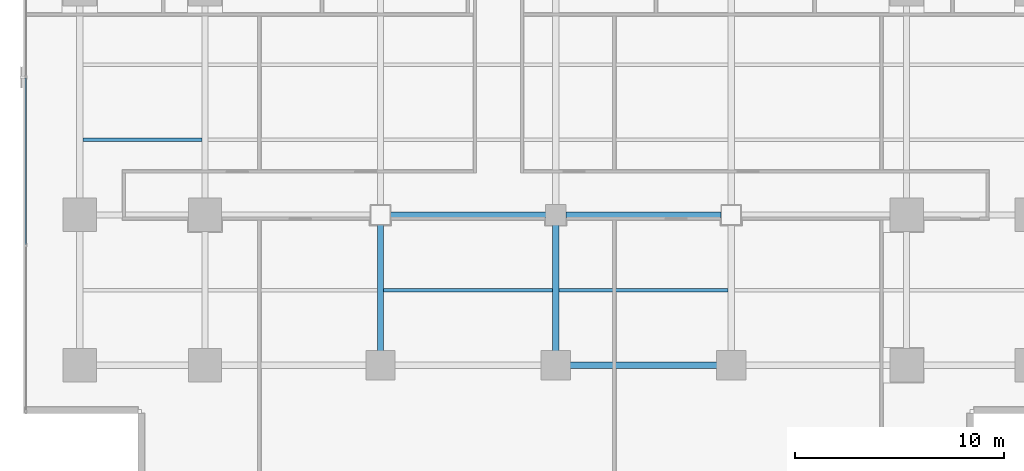
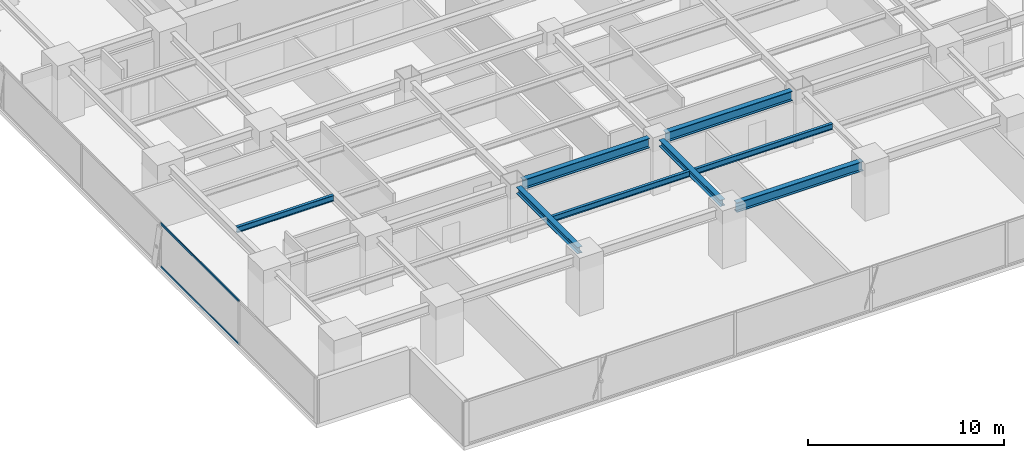
# One storey, part 7 of 34: 8 beams, 2 members, 1 element without a shape of its own.
"""IFC4 building model written with IfcOpenShell, lengths in metres."""

from ifc_helpers import new_model, si_unit, direction, frame, origin, origin_2d, place, context, subcontext, project, spatial, hollow_rectangle, i_section, extrude, source, transform, mapped, material, layer, layer_set, material_profile, profile_set, type_object, element, aggregate, save


model = new_model("IFC4")

# Units and contexts
model_context = context("Model", 3, precision=1e-05, world=origin(), true_north=direction((0.0, 1.0)))
body_context = subcontext(model_context, "Body", "Model", "MODEL_VIEW")
ifc_project = project(units=[si_unit("LENGTHUNIT", "METRE"), si_unit("AREAUNIT", "SQUARE_METRE"), si_unit("VOLUMEUNIT", "CUBIC_METRE"), si_unit("PLANEANGLEUNIT", "RADIAN"), si_unit("MASSUNIT", "GRAM", prefix="KILO")], contexts=[model_context])

# Site, building, storey
site_placement = place(None, origin())
site = spatial("IfcSite", under=ifc_project, at=site_placement, CompositionType="ELEMENT")
building_placement = place(site_placement, origin())
building = spatial("IfcBuilding", under=site, at=building_placement, Name="Sumidabori Civic Tower", CompositionType="ELEMENT")
storey_placement = place(building_placement, frame((0.0, 0.0, 99.199951171875)))
storey = spatial("IfcBuildingStorey", under=building, at=storey_placement, Name="L25", CompositionType="ELEMENT", Elevation=99.199951171875)

# Beams
ifc_material_1 = material(Name="Steel SN490", Category="steel")
ifc_material_profile_1 = material_profile(ifc_material_1, i_section(OverallWidth=0.300048828125, OverallDepth=0.60009765625, WebThickness=0.015380859375, FlangeThickness=0.030029296875, at=origin_2d()), Name="HE 600 B")
ifc_profile_set_1 = profile_set([ifc_material_profile_1], Name="Steel SN490")
beam_type_1 = type_object("IfcBeamType", Name="BM-GIRD-600", PredefinedType="BEAM", material=ifc_profile_set_1)
shared_shape_1 = source(origin(), body_context, "Body", "SweptSolid", [
    extrude(i_section(OverallWidth=0.300048828125, OverallDepth=0.60009765625, WebThickness=0.015380859375, FlangeThickness=0.030029296875, at=origin_2d()), origin(), (0.0, 0.0, 1.0), 7.43994140625),
])
for number, where, z_axis, x_axis, name in (
    (1, (0.47998046875, -18.0, 3.06005859375), (1.0, 0.0, 0.0), (0.0, 1.0, 0.0), "Primary Girder L25 GX-04"),
    (2, (-7.919921875, -10.800048828125, 3.06005859375), (1.0, 0.0, 0.0), (0.0, 1.0, 0.0), "Primary Girder L25 GX-09"),
    (3, (0.47998046875, -10.800048828125, 3.06005859375), (1.0, 0.0, 0.0), (0.0, 1.0, 0.0), "Primary Girder L25 GX-10"),
):
    element("IfcBeam", number, at=place(storey_placement, frame(where, z_axis=z_axis, x_axis=x_axis)), inside=storey, type_object=beam_type_1, Name=name, PredefinedType="BEAM", context=body_context, shape_type="MappedRepresentation", body=[
        mapped(shared_shape_1, transform((0.0, 0.0, 0.0), x_axis=(1.0, 0.0, 0.0), y_axis=(0.0, 1.0, 0.0), z_axis=(0.0, 0.0, 1.0), scale=1.0)),
    ])
ifc_material_profile_2 = material_profile(ifc_material_1, i_section(OverallWidth=0.300048828125, OverallDepth=0.39990234375, WebThickness=0.013427734375, FlangeThickness=0.02392578125, at=origin_2d()), Name="HE 400 B")
ifc_profile_set_2 = profile_set([ifc_material_profile_2], Name="Steel SN490")
beam_type_2 = type_object("IfcBeamType", Name="BM-GIRD-400", PredefinedType="BEAM", material=ifc_profile_set_2)
shared_shape_2 = source(origin(), body_context, "Body", "SweptSolid", [
    extrude(i_section(OverallWidth=0.300048828125, OverallDepth=0.39990234375, WebThickness=0.013427734375, FlangeThickness=0.02392578125, at=origin_2d()), origin(), (0.0, 0.0, 1.0), 6.239990234375),
])
for number, where, z_axis, x_axis, name in (
    (4, (-8.39990234375, -17.52001953125, 3.16015625), (0.0, 1.0, 0.0), (-1.0, 0.0, 0.0), "Primary Girder L25 GY-29"),
    (5, (0.0, -17.52001953125, 3.16015625), (0.0, 1.0, 0.0), (-1.0, 0.0, 0.0), "Primary Girder L25 GY-31"),
):
    element("IfcBeam", number, at=place(storey_placement, frame(where, z_axis=z_axis, x_axis=x_axis)), inside=storey, type_object=beam_type_2, Name=name, PredefinedType="BEAM", context=body_context, shape_type="MappedRepresentation", body=[
        mapped(shared_shape_2, transform((0.0, 0.0, 0.0), x_axis=(1.0, 0.0, 0.0), y_axis=(0.0, 1.0, 0.0), z_axis=(0.0, 0.0, 1.0), scale=1.0)),
    ])
ifc_material_profile_3 = material_profile(ifc_material_1, i_section(OverallWidth=0.169921875, OverallDepth=0.360107421875, WebThickness=0.008056640625, FlangeThickness=0.0126953125, at=origin_2d()), Name="IPE 360")
ifc_profile_set_3 = profile_set([ifc_material_profile_3], Name="Steel SN490")
beam_type_3 = type_object("IfcBeamType", Name="BM-JST-360", PredefinedType="JOIST", material=ifc_profile_set_3)
shared_shape_3 = source(origin(), body_context, "Body", "SweptSolid", [
    extrude(i_section(OverallWidth=0.169921875, OverallDepth=0.360107421875, WebThickness=0.008056640625, FlangeThickness=0.0126953125, at=origin_2d()), origin(), (0.0, 0.0, 1.0), 5.699951171875),
])
beam_placement = place(storey_placement, frame((-22.64990234375, -7.199951171875, 3.179931640625), z_axis=(1.0, 0.0, 0.0), x_axis=(0.0, 1.0, 0.0)))
element("IfcBeam", 6, at=beam_placement, inside=storey, type_object=beam_type_3, Name="Outer Bay Floor Joist L25 JSTO-43", PredefinedType="JOIST", context=body_context, shape_type="MappedRepresentation", body=[
    mapped(shared_shape_3, transform((0.0, 0.0, 0.0), x_axis=(1.0, 0.0, 0.0), y_axis=(0.0, 1.0, 0.0), z_axis=(0.0, 0.0, 1.0), scale=1.0)),
])
shared_shape_4 = source(origin(), body_context, "Body", "SweptSolid", [
    extrude(i_section(OverallWidth=0.169921875, OverallDepth=0.360107421875, WebThickness=0.008056640625, FlangeThickness=0.0126953125, at=origin_2d()), origin(), (0.0, 0.0, 1.0), 8.10009765625),
])
for number, where, z_axis, x_axis, name in (
    (7, (-8.25, -14.39990234375, 3.179931640625), (1.0, 0.0, 0.0), (0.0, 1.0, 0.0), "South Bay Floor Joist L25 JSTS-56"),
    (8, (0.14990234375, -14.39990234375, 3.179931640625), (1.0, 0.0, 0.0), (0.0, 1.0, 0.0), "South Bay Floor Joist L25 JSTS-57"),
):
    element("IfcBeam", number, at=place(storey_placement, frame(where, z_axis=z_axis, x_axis=x_axis)), inside=storey, type_object=beam_type_3, Name=name, PredefinedType="JOIST", context=body_context, shape_type="MappedRepresentation", body=[
        mapped(shared_shape_4, transform((0.0, 0.0, 0.0), x_axis=(1.0, 0.0, 0.0), y_axis=(0.0, 1.0, 0.0), z_axis=(0.0, 0.0, 1.0), scale=1.0)),
    ])

# Curtain wall, members
ifc_material_2 = material(Name="Anodised Bronze Aluminium AW-6063-T6", Category="aluminium")
ifc_layer = layer(ifc_material_2, 0.179931640625, Name="Anodised Bronze Aluminium AW-6063-T6")
ifc_layer_set = layer_set([ifc_layer], Name="Anodised Bronze Aluminium AW-6063-T6")
curtain_wall_type = type_object("IfcCurtainWallType", Name="CW-SYS-3", PredefinedType="NOTDEFINED", material=ifc_layer_set)
curtain_wall_placement = place(storey_placement, origin())
curtain_wall = element("IfcCurtainWall", 9, at=curtain_wall_placement, inside=storey, type_object=curtain_wall_type, Name="Curtain Wall CW:L25:R10", PredefinedType="NOTDEFINED")
ifc_material_profile_4 = material_profile(ifc_material_2, hollow_rectangle(XDim=0.06005859375, YDim=0.1298828125, WallThickness=0.0048828125, at=origin_2d()), Name="ALU TRANSOM 130x60")
ifc_profile_set_4 = profile_set([ifc_material_profile_4], Name="Anodised Bronze Aluminium AW-6063-T6")
member_type = type_object("IfcMemberType", Name="CW-TRN-130", PredefinedType="USERDEFINED", material=ifc_profile_set_4)
shared_shape_5 = source(origin(), body_context, "Body", "SweptSolid", [
    extrude(hollow_rectangle(XDim=0.06005859375, YDim=0.1298828125, WallThickness=0.0048828125, at=origin_2d()), origin(), (0.0, 0.0, 1.0), 7.962890625),
])
member_1_placement = place(storey_placement, frame((-25.3798828125, -4.24658203125, 0.030029296875), z_axis=(0.0, -1.0, 0.0), x_axis=(1.0, 0.0, 0.0)))
member_1 = element("IfcMember", 10, at=member_1_placement, type_object=member_type, Name="CW-3 transom 4.1", ObjectType="TRANSOM", PredefinedType="USERDEFINED", context=body_context, shape_type="MappedRepresentation", body=[
    mapped(shared_shape_5, transform((0.0, 0.0, 0.0), x_axis=(1.0, 0.0, 0.0), y_axis=(0.0, 1.0, 0.0), z_axis=(0.0, 0.0, 1.0), scale=1.0)),
])
member_2_placement = place(storey_placement, frame((-25.3798828125, -4.24658203125, 2.7099609375), z_axis=(0.0, -1.0, 0.0), x_axis=(1.0, 0.0, 0.0)))
member_2 = element("IfcMember", 11, at=member_2_placement, type_object=member_type, Name="CW-3 transom 4.2", ObjectType="TRANSOM", PredefinedType="USERDEFINED", context=body_context, shape_type="MappedRepresentation", body=[
    mapped(shared_shape_5, transform((0.0, 0.0, 0.0), x_axis=(1.0, 0.0, 0.0), y_axis=(0.0, 1.0, 0.0), z_axis=(0.0, 0.0, 1.0), scale=1.0)),
])
aggregate(curtain_wall, [member_1, member_2])

save(model, "model.ifc")
